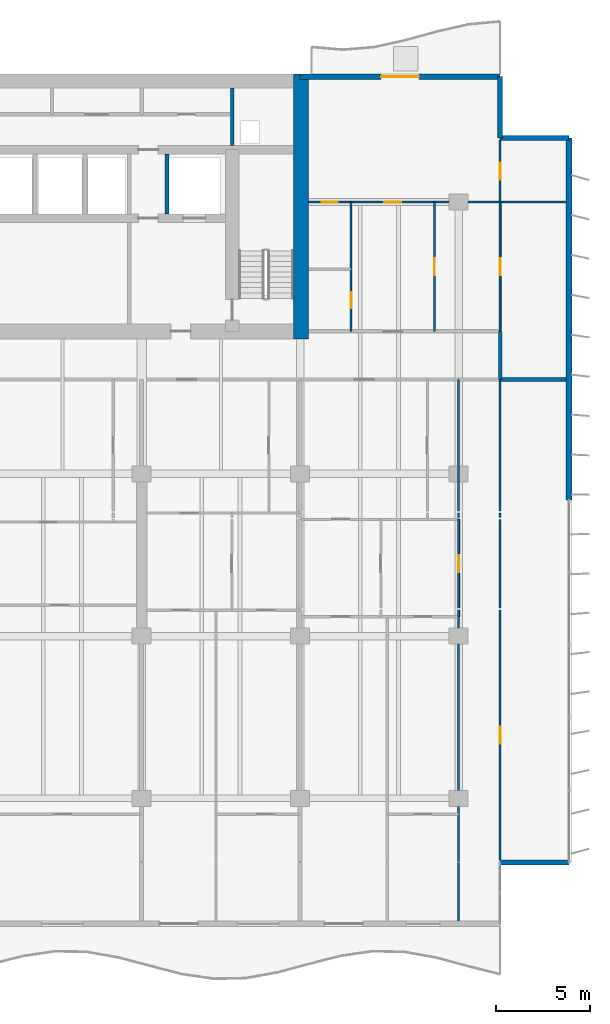
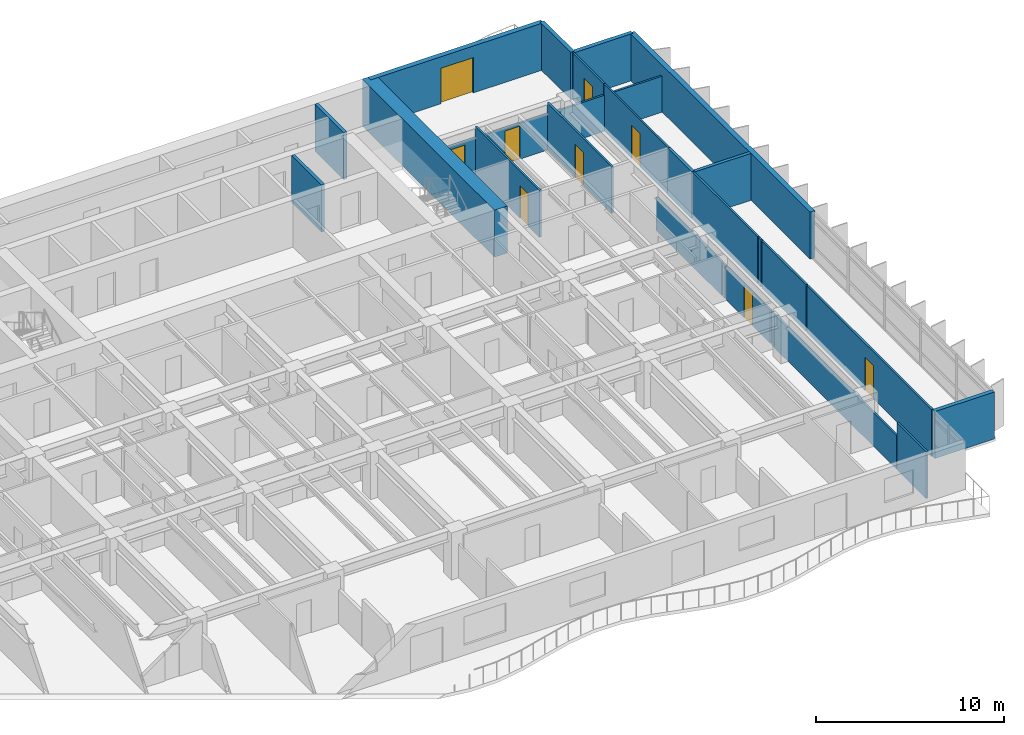
# One storey, part 12 of 17: 25 walls, 9 doors, 9 openings.
"""IFC4 building model written with IfcOpenShell, lengths in metres."""

from ifc_helpers import new_model, si_unit, direction, frame, frame_2d, origin, place, context, subcontext, project, spatial, rectangle, extrude, material, layer, layer_set, type_object, element, fill, save


model = new_model("IFC4")

# Units and contexts
model_context = context("Model", 3, precision=1e-05, world=origin(), true_north=direction((0.0, 1.0)))
body_context = subcontext(model_context, "Body", "Model", "MODEL_VIEW")
ifc_project = project(units=[si_unit("LENGTHUNIT", "METRE"), si_unit("AREAUNIT", "SQUARE_METRE"), si_unit("VOLUMEUNIT", "CUBIC_METRE"), si_unit("PLANEANGLEUNIT", "RADIAN"), si_unit("MASSUNIT", "GRAM", prefix="KILO")], contexts=[model_context])

# Site, building, storey
site_placement = place(None, origin())
site = spatial("IfcSite", under=ifc_project, at=site_placement, CompositionType="ELEMENT")
building_placement = place(site_placement, origin())
building = spatial("IfcBuilding", under=site, at=building_placement, Name="Caelmar Bay Residences", CompositionType="ELEMENT")
storey_placement = place(building_placement, frame((0.0, 0.0, 87.89990234375)))
storey = spatial("IfcBuildingStorey", under=building, at=storey_placement, Name="L23", CompositionType="ELEMENT", Elevation=87.89990234375)

# Walls
ifc_material_1 = material(Name="Concrete f'c 70 MPa (10,000 psi)", Category="concrete")
ifc_layer_1 = layer(ifc_material_1, 0.800048828125)
ifc_layer_set_1 = layer_set([ifc_layer_1], Name="Concrete f'c 70 MPa (10,000 psi)")
wall_type_1 = type_object("IfcWallType", Name="SW-COR-800", PredefinedType="SHEAR", material=ifc_layer_set_1)
wall_1_placement = place(storey_placement, frame((59.550048828125, 36.550048828125, 0.0), z_axis=(0.0, 0.0, 1.0), x_axis=(0.0, 1.0, 0.0)))
element("IfcWall", 1, at=wall_1_placement, inside=storey, type_object=wall_type_1, Name="L23 Rear Core East Shear Wall", PredefinedType="SHEAR", context=body_context, shape_type="SweptSolid", body=[
    extrude(rectangle(XDim=14.050048828125, YDim=0.800048828125, at=frame_2d((7.02490234375, 0.0))), origin(), (0.0, 0.0, 1.0), 3.050048828125),
])
ifc_material_2 = material(Name="Double-stud acoustic fire-rated gypsum partition 180 mm")
ifc_layer_2 = layer(ifc_material_2, 0.179931640625)
ifc_layer_set_2 = layer_set([ifc_layer_2], Name="Double-stud acoustic fire-rated gypsum partition 180 mm")
wall_type_2 = type_object("IfcWallType", Name="W-COR-200", PredefinedType="PARTITIONING", material=ifc_layer_set_2)
wall_2_placement = place(storey_placement, frame((70.10009765625, 34.405029296875, 0.0), z_axis=(0.0, 0.0, 1.0), x_axis=(0.0, 1.0, 0.0)))
element("IfcWall", 2, at=wall_2_placement, inside=storey, type_object=wall_type_2, Name="L23 Partition Wall V103", PredefinedType="PARTITIONING", context=body_context, shape_type="SweptSolid", body=[
    extrude(rectangle(XDim=2.544921875, YDim=0.179931640625, at=frame_2d((1.2724609375, 0.0))), origin(), (0.0, 0.0, 1.0), 3.050048828125),
])
ifc_material_3 = material(Name="Precast concrete f'c 40 MPa (6,000 psi)", Category="concrete")
ifc_layer_3 = layer(ifc_material_3, 0.25)
ifc_layer_set_3 = layer_set([ifc_layer_3], Name="Precast concrete f'c 40 MPa (6,000 psi)")
wall_type_3 = type_object("IfcWallType", Name="W-EXT-250", PredefinedType="ELEMENTEDWALL", material=ifc_layer_set_3)
wall_3_placement = place(storey_placement, frame((70.10009765625, 8.800048828125, 0.0), z_axis=(0.0, 0.0, 1.0), x_axis=(1.0, 0.0, 0.0)))
element("IfcWall", 3, at=wall_3_placement, inside=storey, type_object=wall_type_3, Name="L23 SE Notch Return Wall", PredefinedType="ELEMENTEDWALL", context=body_context, shape_type="SweptSolid", body=[
    extrude(rectangle(XDim=3.64990234375, YDim=0.25, at=frame_2d((1.824951171875, 0.0))), origin(), (0.0, 0.0, 1.0), 3.050048828125),
])
wall_4_placement = place(storey_placement, frame((70.10009765625, 50.449951171875, 0.0), z_axis=(0.0, 0.0, 1.0), x_axis=(0.0, -1.0, 0.0)))
element("IfcWall", 4, at=wall_4_placement, inside=storey, type_object=wall_type_3, Name="L23 NNE-V Notch Wall", PredefinedType="ELEMENTEDWALL", context=body_context, shape_type="SweptSolid", body=[
    extrude(rectangle(XDim=3.25, YDim=0.25, at=frame_2d((1.625, 0.0))), origin(), (0.0, 0.0, 1.0), 3.050048828125),
])
wall_5_placement = place(storey_placement, frame((70.10009765625, 47.199951171875, 0.0), z_axis=(0.0, 0.0, 1.0), x_axis=(1.0, 0.0, 0.0)))
element("IfcWall", 5, at=wall_5_placement, inside=storey, type_object=wall_type_3, Name="L23 NNE-H Notch Wall", PredefinedType="ELEMENTEDWALL", context=body_context, shape_type="SweptSolid", body=[
    extrude(rectangle(XDim=3.64990234375, YDim=0.25, at=frame_2d((1.824951171875, 0.0))), origin(), (0.0, 0.0, 1.0), 3.050048828125),
])
ifc_layer_4 = layer(ifc_material_3, 0.300048828125)
ifc_layer_set_4 = layer_set([ifc_layer_4], Name="Precast concrete f'c 40 MPa (6,000 psi)")
wall_type_4 = type_object("IfcWallType", Name="W-EXT-300", PredefinedType="STANDARD", material=ifc_layer_set_4)
wall_6_placement = place(storey_placement, frame((73.75, 47.199951171875, 0.0), z_axis=(0.0, 0.0, 1.0), x_axis=(0.0, -1.0, 0.0)))
element("IfcWall", 6, at=wall_6_placement, inside=storey, type_object=wall_type_4, Name="L23 East Rear Exterior Wall", PredefinedType="STANDARD", context=body_context, shape_type="SweptSolid", body=[
    extrude(rectangle(XDim=19.199951171875, YDim=0.300048828125, at=frame_2d((9.60009765625, 0.0))), origin(), (0.0, 0.0, 1.0), 3.050048828125),
])

# Wall, opening, door
wall_7_placement = place(storey_placement, frame((59.5, 50.449951171875, 0.0), z_axis=(0.0, 0.0, 1.0), x_axis=(1.0, 0.0, 0.0)))
wall_7 = element("IfcWall", 7, at=wall_7_placement, inside=storey, type_object=wall_type_4, Name="L23 North-East Wing Exterior Wall", PredefinedType="STANDARD", context=body_context, shape_type="SweptSolid", body=[
    extrude(rectangle(XDim=10.60009765625, YDim=0.300048828125, at=frame_2d((5.300048828125, 0.0))), origin(), (0.0, 0.0, 1.0), 3.050048828125),
])
opening_1_placement = place(wall_7_placement, frame((4.300048828125, 0.0, 0.0)))
opening_1 = element("IfcOpeningElement", 8, at=opening_1_placement, cuts=wall_7, Name="Opening L23-BDNE", PredefinedType="OPENING", context=body_context, shape_type="SweptSolid", body=[
    extrude(rectangle(XDim=2.0, YDim=2.300048828125, at=frame_2d((1.0, 1.14990234375))), frame((0.0, 0.159912109375, 0.0), z_axis=(0.0, -1.0, 0.0), x_axis=(1.0, 0.0, 0.0)), (0.0, 0.0, 1.0), 0.320068359375),
])
ifc_material_4 = material(Name="Anodised bronze thermally broken sliding glass door", Category="glass")
ifc_layer_5 = layer(ifc_material_4, 0.050048828125)
ifc_layer_set_5 = layer_set([ifc_layer_5], Name="Anodised bronze thermally broken sliding glass door")
door_type_1 = type_object("IfcDoorType", Name="D-BAL-2000", OperationType="DOUBLE_DOOR_SLIDING", PredefinedType="DOOR", material=ifc_layer_set_5)
door_1_placement = place(opening_1_placement, origin())
door_1 = element("IfcDoor", 9, at=door_1_placement, inside=storey, type_object=door_type_1, Name="L23 North-East Balcony Door", OperationType="DOUBLE_DOOR_SLIDING", OverallHeight=2.300048828125, OverallWidth=2.0, PredefinedType="DOOR", context=body_context, shape_type="SweptSolid", body=[
    extrude(rectangle(XDim=2.0, YDim=2.300048828125, at=frame_2d((1.0, 1.14990234375))), frame((0.0, 0.02490234375, 0.0), z_axis=(0.0, -1.0, 0.0), x_axis=(1.0, 0.0, 0.0)), (0.0, 0.0, 1.0), 0.050048828125),
])
fill(opening_1, door_1)

# Walls
ifc_material_5 = material(Name="Fire-rated masonry and gypsum shaftliner assembly 200 mm", Category="masonry")
ifc_layer_6 = layer(ifc_material_5, 0.199951171875)
ifc_layer_set_6 = layer_set([ifc_layer_6], Name="Fire-rated masonry and gypsum shaftliner assembly 200 mm")
wall_type_5 = type_object("IfcWallType", Name="W-FSAE-200", PredefinedType="PARTITIONING", material=ifc_layer_set_6)
wall_8_placement = place(storey_placement, frame((52.449951171875, 43.169921875, 0.0), z_axis=(0.0, 0.0, 1.0), x_axis=(0.0, 1.0, 0.0)))
element("IfcWall", 10, at=wall_8_placement, inside=storey, type_object=wall_type_5, Name="L23 Partition Wall V073", PredefinedType="PARTITIONING", context=body_context, shape_type="SweptSolid", body=[
    extrude(rectangle(XDim=3.18505859375, YDim=0.199951171875, at=frame_2d((1.592529296875, 0.0))), origin(), (0.0, 0.0, 1.0), 3.050048828125),
])
wall_9_placement = place(storey_placement, frame((55.89990234375, 46.794921875, 0.0), z_axis=(0.0, 0.0, 1.0), x_axis=(0.0, 1.0, 0.0)))
element("IfcWall", 11, at=wall_9_placement, inside=storey, type_object=wall_type_5, Name="L23 Partition Wall V078", PredefinedType="PARTITIONING", context=body_context, shape_type="SweptSolid", body=[
    extrude(rectangle(XDim=3.06005859375, YDim=0.199951171875, at=frame_2d((1.530029296875, 0.0))), origin(), (0.0, 0.0, 1.0), 3.050048828125),
])
ifc_material_6 = material(Name="Anodised bronze framed acoustic sliding study partition 100 mm")
ifc_layer_7 = layer(ifc_material_6, 0.10009765625)
ifc_layer_set_7 = layer_set([ifc_layer_7], Name="Anodised bronze framed acoustic sliding study partition 100 mm")
wall_type_6 = type_object("IfcWallType", Name="W-MOV-100", PredefinedType="MOVABLE", material=ifc_layer_set_7)
wall_10_placement = place(storey_placement, frame((67.89990234375, 21.8349609375, 0.0), z_axis=(0.0, 0.0, 1.0), x_axis=(0.0, 1.0, 0.0)))
element("IfcWall", 12, at=wall_10_placement, inside=storey, type_object=wall_type_6, Name="L23 Partition Wall V095", PredefinedType="MOVABLE", context=body_context, shape_type="SweptSolid", body=[
    extrude(rectangle(XDim=0.3349609375, YDim=0.10009765625, at=frame_2d((0.16748046875, 0.0))), origin(), (0.0, 0.0, 1.0), 2.174072265625),
])

# Wall, opening, door
wall_11_placement = place(storey_placement, frame((67.89990234375, 22.2900390625, 0.0), z_axis=(0.0, 0.0, 1.0), x_axis=(0.0, 1.0, 0.0)))
wall_11 = element("IfcWall", 13, at=wall_11_placement, inside=storey, type_object=wall_type_6, Name="L23 Partition Wall V096", PredefinedType="MOVABLE", context=body_context, shape_type="SweptSolid", body=[
    extrude(rectangle(XDim=4.68994140625, YDim=0.10009765625, at=frame_2d((2.344970703125, 0.0))), origin(), (0.0, 0.0, 1.0), 2.174072265625),
])
opening_2_placement = place(wall_11_placement, frame((1.89501953125, 0.0, 0.0)))
opening_2 = element("IfcOpeningElement", 14, at=opening_2_placement, cuts=wall_11, Name="Opening D-L23-168", PredefinedType="OPENING", context=body_context, shape_type="SweptSolid", body=[
    extrude(rectangle(XDim=0.89990234375, YDim=2.1240234375, at=frame_2d((0.449951171875, 1.06201171875))), frame((0.0, 0.06005859375, 0.0), z_axis=(0.0, -1.0, 0.0), x_axis=(1.0, 0.0, 0.0)), (0.0, 0.0, 1.0), 0.1201171875),
])
ifc_material_7 = material(Name="Solid walnut timber interior door leaf and frame", Category="wood")
ifc_layer_8 = layer(ifc_material_7, 0.050048828125)
ifc_layer_set_8 = layer_set([ifc_layer_8], Name="Solid walnut timber interior door leaf and frame")
door_type_2 = type_object("IfcDoorType", Name="D-ROOM-900", OperationType="NOTDEFINED", PredefinedType="DOOR", material=ifc_layer_set_8)
door_2_placement = place(opening_2_placement, origin())
door_2 = element("IfcDoor", 15, at=door_2_placement, inside=storey, type_object=door_type_2, Name="L23 Residence 06 East Apartment Hall Door", OperationType="SINGLE_SWING_RIGHT", OverallHeight=2.1240234375, OverallWidth=0.89990234375, PredefinedType="DOOR", context=body_context, shape_type="SweptSolid", body=[
    extrude(rectangle(XDim=0.89990234375, YDim=2.1240234375, at=frame_2d((0.449951171875, 1.06201171875))), frame((0.0, 0.02490234375, 0.0), z_axis=(0.0, -1.0, 0.0), x_axis=(1.0, 0.0, 0.0)), (0.0, 0.0, 1.0), 0.050048828125),
])
fill(opening_2, door_2)

wall_12_placement = place(storey_placement, frame((70.10009765625, 36.955078125, 0.0), z_axis=(0.0, 0.0, 1.0), x_axis=(0.0, 1.0, 0.0)))
wall_12 = element("IfcWall", 16, at=wall_12_placement, inside=storey, type_object=wall_type_6, Name="L23 Partition Wall V104", PredefinedType="MOVABLE", context=body_context, shape_type="SweptSolid", body=[
    extrude(rectangle(XDim=6.844970703125, YDim=0.10009765625, at=frame_2d((3.42236328125, 0.0))), origin(), (0.0, 0.0, 1.0), 3.050048828125),
])
opening_3_placement = place(wall_12_placement, frame((2.972412109375, 0.0, 0.0)))
opening_3 = element("IfcOpeningElement", 17, at=opening_3_placement, cuts=wall_12, Name="Opening D-L23-183", PredefinedType="OPENING", context=body_context, shape_type="SweptSolid", body=[
    extrude(rectangle(XDim=0.89990234375, YDim=2.14990234375, at=frame_2d((0.449951171875, 1.074951171875))), frame((0.0, 0.06005859375, 0.0), z_axis=(0.0, -1.0, 0.0), x_axis=(1.0, 0.0, 0.0)), (0.0, 0.0, 1.0), 0.1201171875),
])
door_3_placement = place(opening_3_placement, origin())
door_3 = element("IfcDoor", 18, at=door_3_placement, inside=storey, type_object=door_type_2, Name="L23 Residence EA Sun Study Door", OperationType="SINGLE_SWING_LEFT", OverallHeight=2.14990234375, OverallWidth=0.89990234375, PredefinedType="DOOR", context=body_context, shape_type="SweptSolid", body=[
    extrude(rectangle(XDim=0.89990234375, YDim=2.14990234375, at=frame_2d((0.449951171875, 1.074951171875))), frame((0.0, 0.02490234375, 0.0), z_axis=(0.0, -1.0, 0.0), x_axis=(1.0, 0.0, 0.0)), (0.0, 0.0, 1.0), 0.050048828125),
])
fill(opening_3, door_3)

ifc_material_8 = material(Name="Acoustic metal-stud gypsum partition 120 mm")
ifc_layer_9 = layer(ifc_material_8, 0.1201171875)
ifc_layer_set_9 = layer_set([ifc_layer_9], Name="Acoustic metal-stud gypsum partition 120 mm")
wall_type_7 = type_object("IfcWallType", Name="W-PRT-120", PredefinedType="PARTITIONING", material=ifc_layer_set_9)
wall_13_placement = place(storey_placement, frame((62.199951171875, 36.949951171875, 0.0), z_axis=(0.0, 0.0, 1.0), x_axis=(0.0, 1.0, 0.0)))
wall_13 = element("IfcWall", 19, at=wall_13_placement, inside=storey, type_object=wall_type_7, Name="L23 Partition Wall V085", PredefinedType="PARTITIONING", context=body_context, shape_type="SweptSolid", body=[
    extrude(rectangle(XDim=6.85009765625, YDim=0.1201171875, at=frame_2d((3.425048828125, 0.0))), origin(), (0.0, 0.0, 1.0), 3.050048828125),
])
opening_4_placement = place(wall_13_placement, frame((1.218994140625, 0.0, 0.0)))
opening_4 = element("IfcOpeningElement", 20, at=opening_4_placement, cuts=wall_13, Name="Opening D-L23-181", PredefinedType="OPENING", context=body_context, shape_type="SweptSolid", body=[
    extrude(rectangle(XDim=0.85009765625, YDim=2.10009765625, at=frame_2d((0.425048828125, 1.050048828125))), frame((0.0, 0.070068359375, 0.0), z_axis=(0.0, -1.0, 0.0), x_axis=(1.0, 0.0, 0.0)), (0.0, 0.0, 1.0), 0.14013671875),
])
ifc_layer_10 = layer(ifc_material_7, 0.050048828125)
ifc_layer_set_10 = layer_set([ifc_layer_10], Name="Solid walnut timber interior door leaf and frame")
door_type_3 = type_object("IfcDoorType", Name="D-BATH-850", OperationType="NOTDEFINED", PredefinedType="DOOR", material=ifc_layer_set_10)
door_4_placement = place(opening_4_placement, origin())
door_4 = element("IfcDoor", 21, at=door_4_placement, inside=storey, type_object=door_type_3, Name="L23 Residence EA Walk-In Closet Door", OperationType="SINGLE_SWING_LEFT", OverallHeight=2.10009765625, OverallWidth=0.85009765625, PredefinedType="DOOR", context=body_context, shape_type="SweptSolid", body=[
    extrude(rectangle(XDim=0.85009765625, YDim=2.10009765625, at=frame_2d((0.425048828125, 1.050048828125))), frame((0.0, 0.02490234375, 0.0), z_axis=(0.0, -1.0, 0.0), x_axis=(1.0, 0.0, 0.0)), (0.0, 0.0, 1.0), 0.050048828125),
])
fill(opening_4, door_4)

wall_14_placement = place(storey_placement, frame((66.6240234375, 36.949951171875, 0.0), z_axis=(0.0, 0.0, 1.0), x_axis=(0.0, 1.0, 0.0)))
wall_14 = element("IfcWall", 22, at=wall_14_placement, inside=storey, type_object=wall_type_7, Name="L23 Partition Wall V092", PredefinedType="PARTITIONING", context=body_context, shape_type="SweptSolid", body=[
    extrude(rectangle(XDim=6.85009765625, YDim=0.1201171875, at=frame_2d((3.425048828125, 0.0))), origin(), (0.0, 0.0, 1.0), 3.050048828125),
])
opening_5_placement = place(wall_14_placement, frame((2.97509765625, 0.0, 0.0)))
opening_5 = element("IfcOpeningElement", 23, at=opening_5_placement, cuts=wall_14, Name="Opening D-L23-178", PredefinedType="OPENING", context=body_context, shape_type="SweptSolid", body=[
    extrude(rectangle(XDim=0.89990234375, YDim=2.14990234375, at=frame_2d((0.449951171875, 1.074951171875))), frame((0.0, 0.070068359375, 0.0), z_axis=(0.0, -1.0, 0.0), x_axis=(1.0, 0.0, 0.0)), (0.0, 0.0, 1.0), 0.14013671875),
])
door_5_placement = place(opening_5_placement, origin())
door_5 = element("IfcDoor", 24, at=door_5_placement, inside=storey, type_object=door_type_2, Name="L23 Residence EA Dining Room Door", OperationType="SINGLE_SWING_RIGHT", OverallHeight=2.14990234375, OverallWidth=0.89990234375, PredefinedType="DOOR", context=body_context, shape_type="SweptSolid", body=[
    extrude(rectangle(XDim=0.89990234375, YDim=2.14990234375, at=frame_2d((0.449951171875, 1.074951171875))), frame((0.0, 0.02490234375, 0.0), z_axis=(0.0, -1.0, 0.0), x_axis=(1.0, 0.0, 0.0)), (0.0, 0.0, 1.0), 0.050048828125),
])
fill(opening_5, door_5)

# Walls
wall_15_placement = place(storey_placement, frame((67.89990234375, 5.695068359375, 0.0), z_axis=(0.0, 0.0, 1.0), x_axis=(0.0, 1.0, 0.0)))
element("IfcWall", 25, at=wall_15_placement, inside=storey, type_object=wall_type_7, Name="L23 Partition Wall V093", PredefinedType="PARTITIONING", context=body_context, shape_type="SweptSolid", body=[
    extrude(rectangle(XDim=3.10498046875, YDim=0.1201171875, at=frame_2d((1.552490234375, 0.0))), origin(), (0.0, 0.0, 1.0), 3.050048828125),
])
wall_16_placement = place(storey_placement, frame((67.89990234375, 8.840087890625, 0.0), z_axis=(0.0, 0.0, 1.0), x_axis=(0.0, 1.0, 0.0)))
element("IfcWall", 26, at=wall_16_placement, inside=storey, type_object=wall_type_7, Name="L23 Partition Wall V094", PredefinedType="PARTITIONING", context=body_context, shape_type="SweptSolid", body=[
    extrude(rectangle(XDim=12.989990234375, YDim=0.1201171875, at=frame_2d((6.4951171875, 0.0))), origin(), (0.0, 0.0, 1.0), 2.174072265625),
])
wall_17_placement = place(storey_placement, frame((67.89990234375, 27.080078125, 0.0), z_axis=(0.0, 0.0, 1.0), x_axis=(0.0, 1.0, 0.0)))
element("IfcWall", 27, at=wall_17_placement, inside=storey, type_object=wall_type_7, Name="L23 Partition Wall V097", PredefinedType="PARTITIONING", context=body_context, shape_type="SweptSolid", body=[
    extrude(rectangle(XDim=0.239990234375, YDim=0.1201171875, at=frame_2d((0.1201171875, 0.0))), origin(), (0.0, 0.0, 1.0), 2.174072265625),
])
wall_18_placement = place(storey_placement, frame((67.89990234375, 27.43994140625, 0.0), z_axis=(0.0, 0.0, 1.0), x_axis=(0.0, 1.0, 0.0)))
element("IfcWall", 28, at=wall_18_placement, inside=storey, type_object=wall_type_7, Name="L23 Partition Wall V098", PredefinedType="PARTITIONING", context=body_context, shape_type="SweptSolid", body=[
    extrude(rectangle(XDim=6.9599609375, YDim=0.1201171875, at=frame_2d((3.47998046875, 0.0))), origin(), (0.0, 0.0, 1.0), 2.174072265625),
])

# Wall, opening, door
wall_19_placement = place(storey_placement, frame((70.10009765625, 8.919921875, 0.0), z_axis=(0.0, 0.0, 1.0), x_axis=(0.0, 1.0, 0.0)))
wall_19 = element("IfcWall", 29, at=wall_19_placement, inside=storey, type_object=wall_type_7, Name="L23 Partition Wall V099", PredefinedType="PARTITIONING", context=body_context, shape_type="SweptSolid", body=[
    extrude(rectangle(XDim=13.25, YDim=0.1201171875, at=frame_2d((6.625, 0.0))), origin(), (0.0, 0.0, 1.0), 3.050048828125),
])
opening_6_placement = place(wall_19_placement, frame((6.175048828125, 0.0, 0.0)))
opening_6 = element("IfcOpeningElement", 30, at=opening_6_placement, cuts=wall_19, Name="Opening D-L23-170", PredefinedType="OPENING", context=body_context, shape_type="SweptSolid", body=[
    extrude(rectangle(XDim=0.89990234375, YDim=2.14990234375, at=frame_2d((0.449951171875, 1.074951171875))), frame((0.0, 0.070068359375, 0.0), z_axis=(0.0, -1.0, 0.0), x_axis=(1.0, 0.0, 0.0)), (0.0, 0.0, 1.0), 0.14013671875),
])
door_6_placement = place(opening_6_placement, origin())
door_6 = element("IfcDoor", 31, at=door_6_placement, inside=storey, type_object=door_type_2, Name="L23 Residence 06 Penthouse East Salon Door", OperationType="SINGLE_SWING_RIGHT", OverallHeight=2.14990234375, OverallWidth=0.89990234375, PredefinedType="DOOR", context=body_context, shape_type="SweptSolid", body=[
    extrude(rectangle(XDim=0.89990234375, YDim=2.14990234375, at=frame_2d((0.449951171875, 1.074951171875))), frame((0.0, 0.02490234375, 0.0), z_axis=(0.0, -1.0, 0.0), x_axis=(1.0, 0.0, 0.0)), (0.0, 0.0, 1.0), 0.050048828125),
])
fill(opening_6, door_6)

# Walls
wall_20_placement = place(storey_placement, frame((70.10009765625, 22.2900390625, 0.0), z_axis=(0.0, 0.0, 1.0), x_axis=(0.0, 1.0, 0.0)))
element("IfcWall", 32, at=wall_20_placement, inside=storey, type_object=wall_type_7, Name="L23 Partition Wall V100", PredefinedType="PARTITIONING", context=body_context, shape_type="SweptSolid", body=[
    extrude(rectangle(XDim=4.68994140625, YDim=0.1201171875, at=frame_2d((2.344970703125, 0.0))), origin(), (0.0, 0.0, 1.0), 3.050048828125),
])
wall_21_placement = place(storey_placement, frame((70.10009765625, 27.080078125, 0.0), z_axis=(0.0, 0.0, 1.0), x_axis=(0.0, 1.0, 0.0)))
element("IfcWall", 33, at=wall_21_placement, inside=storey, type_object=wall_type_7, Name="L23 Partition Wall V101", PredefinedType="PARTITIONING", context=body_context, shape_type="SweptSolid", body=[
    extrude(rectangle(XDim=0.239990234375, YDim=0.1201171875, at=frame_2d((0.1201171875, 0.0))), origin(), (0.0, 0.0, 1.0), 3.050048828125),
])
wall_22_placement = place(storey_placement, frame((70.10009765625, 27.43994140625, 0.0), z_axis=(0.0, 0.0, 1.0), x_axis=(0.0, 1.0, 0.0)))
element("IfcWall", 34, at=wall_22_placement, inside=storey, type_object=wall_type_7, Name="L23 Partition Wall V102", PredefinedType="PARTITIONING", context=body_context, shape_type="SweptSolid", body=[
    extrude(rectangle(XDim=6.9599609375, YDim=0.1201171875, at=frame_2d((3.47998046875, 0.0))), origin(), (0.0, 0.0, 1.0), 3.050048828125),
])

# Wall, opening, door
wall_23_placement = place(storey_placement, frame((70.10009765625, 43.804931640625, 0.0), z_axis=(0.0, 0.0, 1.0), x_axis=(0.0, 1.0, 0.0)))
wall_23 = element("IfcWall", 35, at=wall_23_placement, inside=storey, type_object=wall_type_7, Name="L23 Partition Wall V105", PredefinedType="PARTITIONING", context=body_context, shape_type="SweptSolid", body=[
    extrude(rectangle(XDim=3.275146484375, YDim=0.1201171875, at=frame_2d((1.6376953125, 0.0))), origin(), (0.0, 0.0, 1.0), 3.050048828125),
])
opening_7_placement = place(wall_23_placement, frame((1.1875, 0.0, 0.0)))
opening_7 = element("IfcOpeningElement", 36, at=opening_7_placement, cuts=wall_23, Name="Opening D-L23-184", PredefinedType="OPENING", context=body_context, shape_type="SweptSolid", body=[
    extrude(rectangle(XDim=0.89990234375, YDim=2.14990234375, at=frame_2d((0.449951171875, 1.074951171875))), frame((0.0, 0.070068359375, 0.0), z_axis=(0.0, -1.0, 0.0), x_axis=(1.0, 0.0, 0.0)), (0.0, 0.0, 1.0), 0.14013671875),
])
door_7_placement = place(opening_7_placement, origin())
door_7 = element("IfcDoor", 37, at=door_7_placement, inside=storey, type_object=door_type_2, Name="L23 Residence EA North Sitting Alcove Door", OperationType="SINGLE_SWING_RIGHT", OverallHeight=2.14990234375, OverallWidth=0.89990234375, PredefinedType="DOOR", context=body_context, shape_type="SweptSolid", body=[
    extrude(rectangle(XDim=0.89990234375, YDim=2.14990234375, at=frame_2d((0.449951171875, 1.074951171875))), frame((0.0, 0.02490234375, 0.0), z_axis=(0.0, -1.0, 0.0), x_axis=(1.0, 0.0, 0.0)), (0.0, 0.0, 1.0), 0.050048828125),
])
fill(opening_7, door_7)

# Wall, openings, doors
wall_24_placement = place(storey_placement, frame((59.945068359375, 43.800048828125, 0.0), z_axis=(0.0, 0.0, 1.0), x_axis=(1.0, 0.0, 0.0)))
wall_24 = element("IfcWall", 38, at=wall_24_placement, inside=storey, type_object=wall_type_7, Name="L23 Partition Wall H141", PredefinedType="PARTITIONING", context=body_context, shape_type="SweptSolid", body=[
    extrude(rectangle(XDim=13.659912109375, YDim=0.1201171875, at=frame_2d((6.830078125, 0.0))), origin(), (0.0, 0.0, 1.0), 2.339111328125),
])
opening_8_placement = place(wall_24_placement, frame((4.01708984375, 0.0, 0.0)))
opening_8 = element("IfcOpeningElement", 39, at=opening_8_placement, cuts=wall_24, Name="Opening D-L23-180", PredefinedType="OPENING", context=body_context, shape_type="SweptSolid", body=[
    extrude(rectangle(XDim=0.89990234375, YDim=2.14990234375, at=frame_2d((0.449951171875, 1.074951171875))), frame((0.0, 0.070068359375, 0.0), z_axis=(0.0, -1.0, 0.0), x_axis=(1.0, 0.0, 0.0)), (0.0, 0.0, 1.0), 0.14013671875),
])
opening_9_placement = place(wall_24_placement, frame((0.702392578125, 0.0, 0.0)))
opening_9 = element("IfcOpeningElement", 40, at=opening_9_placement, cuts=wall_24, Name="Opening D-L23-182", PredefinedType="OPENING", context=body_context, shape_type="SweptSolid", body=[
    extrude(rectangle(XDim=0.85009765625, YDim=2.10009765625, at=frame_2d((0.425048828125, 1.050048828125))), frame((0.0, 0.070068359375, 0.0), z_axis=(0.0, -1.0, 0.0), x_axis=(1.0, 0.0, 0.0)), (0.0, 0.0, 1.0), 0.14013671875),
])
door_8_placement = place(opening_9_placement, origin())
door_8 = element("IfcDoor", 41, at=door_8_placement, inside=storey, type_object=door_type_3, Name="L23 Residence EA Bathroom Door", OperationType="SINGLE_SWING_RIGHT", OverallHeight=2.10009765625, OverallWidth=0.85009765625, PredefinedType="DOOR", context=body_context, shape_type="SweptSolid", body=[
    extrude(rectangle(XDim=0.85009765625, YDim=2.10009765625, at=frame_2d((0.425048828125, 1.050048828125))), frame((0.0, 0.02490234375, 0.0), z_axis=(0.0, -1.0, 0.0), x_axis=(1.0, 0.0, 0.0)), (0.0, 0.0, 1.0), 0.050048828125),
])
fill(opening_9, door_8)
door_9_placement = place(opening_8_placement, origin())
door_9 = element("IfcDoor", 42, at=door_9_placement, inside=storey, type_object=door_type_2, Name="L23 Residence EA Studio Living and Sleeping Room Door", OperationType="SINGLE_SWING_RIGHT", OverallHeight=2.14990234375, OverallWidth=0.89990234375, PredefinedType="DOOR", context=body_context, shape_type="SweptSolid", body=[
    extrude(rectangle(XDim=0.89990234375, YDim=2.14990234375, at=frame_2d((0.449951171875, 1.074951171875))), frame((0.0, 0.02490234375, 0.0), z_axis=(0.0, -1.0, 0.0), x_axis=(1.0, 0.0, 0.0)), (0.0, 0.0, 1.0), 0.050048828125),
])
fill(opening_8, door_9)

# Wall
ifc_material_9 = material(Name="Acoustic twin-stud fire-rated inter-tenancy partition 200 mm")
ifc_layer_11 = layer(ifc_material_9, 0.199951171875)
ifc_layer_set_11 = layer_set([ifc_layer_11], Name="Acoustic twin-stud fire-rated inter-tenancy partition 200 mm")
wall_type_8 = type_object("IfcWallType", Name="W-PTY-200", PredefinedType="PARTITIONING", material=ifc_layer_set_11)
wall_25_placement = place(storey_placement, frame((70.10498046875, 34.39990234375, 0.0), z_axis=(0.0, 0.0, 1.0), x_axis=(1.0, 0.0, 0.0)))
element("IfcWall", 43, at=wall_25_placement, inside=storey, type_object=wall_type_8, Name="L23 Partition Wall H135", PredefinedType="PARTITIONING", context=body_context, shape_type="SweptSolid", body=[
    extrude(rectangle(XDim=3.5, YDim=0.199951171875, at=frame_2d((1.75, 0.0))), origin(), (0.0, 0.0, 1.0), 3.050048828125),
])

save(model, "model.ifc")
